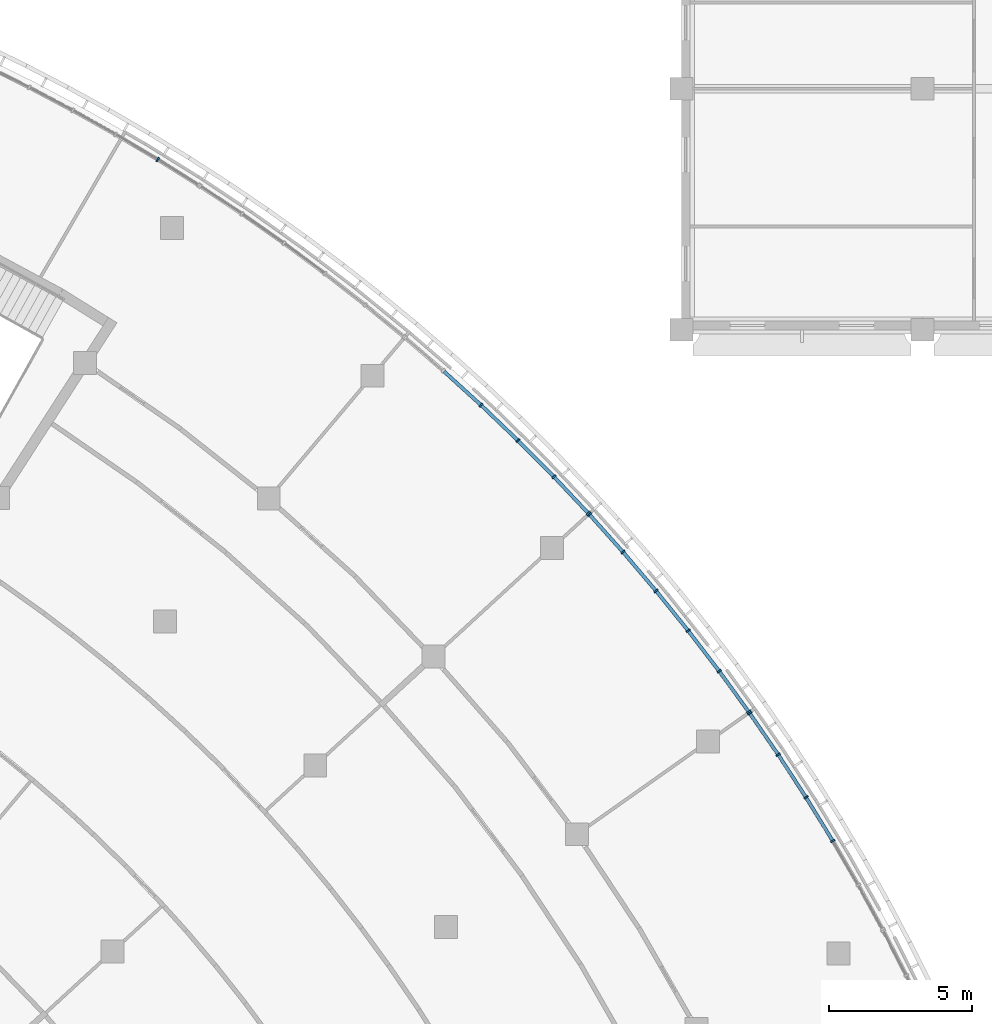
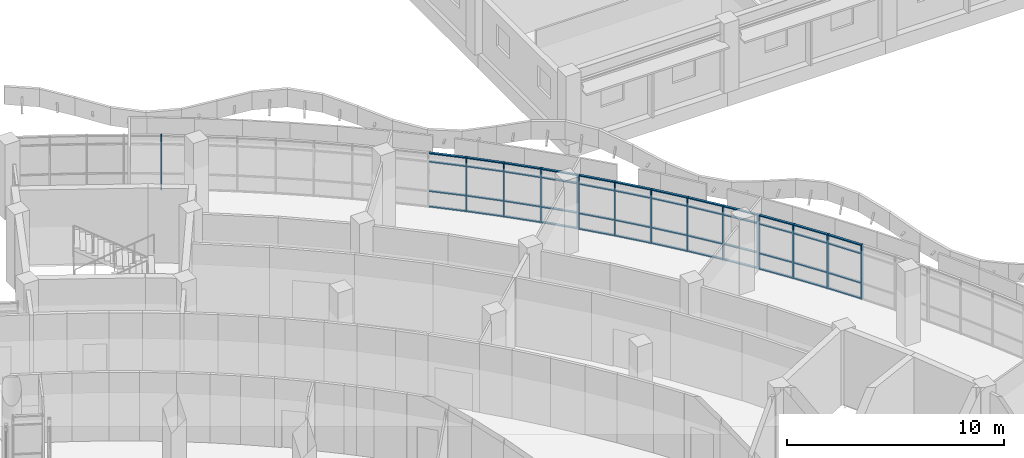
# One storey, part 16 of 109: 63 members, 4 elements without a shape of their own.
"""IFC4 building model written with IfcOpenShell, lengths in metres."""

from ifc_helpers import new_model, si_unit, direction, frame, origin, origin_2d, place, context, subcontext, project, spatial, rectangle, extrude, material, material_profile, profile_set, type_object, element, aggregate, save


model = new_model("IFC4")

# Units and contexts
model_context = context("Model", 3, precision=1e-05, world=origin(), true_north=direction((0.0, 1.0)))
body_context = subcontext(model_context, "Body", "Model", "MODEL_VIEW")
ifc_project = project(units=[si_unit("LENGTHUNIT", "METRE"), si_unit("AREAUNIT", "SQUARE_METRE"), si_unit("VOLUMEUNIT", "CUBIC_METRE"), si_unit("PLANEANGLEUNIT", "RADIAN"), si_unit("MASSUNIT", "GRAM", prefix="KILO")], contexts=[model_context])

# Site, building, storey
site_placement = place(None, origin())
site = spatial("IfcSite", under=ifc_project, at=site_placement, CompositionType="ELEMENT")
building_placement = place(site_placement, origin())
building = spatial("IfcBuilding", under=site, at=building_placement, Name="Bougainvillea Quay General Hospital", CompositionType="ELEMENT")
storey_placement = place(building_placement, frame((0.0, 0.0, 12.60009765625)))
storey = spatial("IfcBuildingStorey", under=building, at=storey_placement, Name="L02", CompositionType="ELEMENT", Elevation=12.60009765625)

# Curtain wall, member
ifc_material_1 = material(Name="Aluminium curtain wall system, powder-coated glazed", Category="aluminium")
curtain_wall_type = type_object("IfcCurtainWallType", Name="Unitised curtain wall CW-2100", PredefinedType="NOTDEFINED", material=ifc_material_1)
curtain_wall_1_placement = place(storey_placement, origin())
curtain_wall_1 = element("IfcCurtainWall", 1, at=curtain_wall_1_placement, inside=storey, type_object=curtain_wall_type, Name="CW-E01 a23b0", PredefinedType="NOTDEFINED")
ifc_material_2 = material(Name="Aluminium mullion, powder-coated charcoal", Category="aluminium")
ifc_material_profile_1 = material_profile(ifc_material_2, rectangle(XDim=0.159912109375, YDim=0.06005859375, at=origin_2d()))
ifc_profile_set_1 = profile_set([ifc_material_profile_1], Name="Aluminium mullion, powder-coated charcoal")
member_type_1 = type_object("IfcMemberType", Name="Curtain wall mullion 160x60", PredefinedType="MULLION", material=ifc_profile_set_1)
member_1_placement = place(storey_placement, frame((145.546142578125, 81.5322265625, 0.0), z_axis=(0.0, 0.0, 1.0), x_axis=(0.521088424985, 0.853502696742, 0.0)))
member_1 = element("IfcMember", 2, at=member_1_placement, type_object=member_type_1, Name="CW-E01 mullion 5", PredefinedType="MULLION", context=body_context, shape_type="SweptSolid", body=[
    extrude(rectangle(XDim=0.159912109375, YDim=0.06005859375, at=origin_2d()), origin(), (0.0, 0.0, 1.0), 3.0498046875),
])
aggregate(curtain_wall_1, [member_1])

# Curtain wall, members
curtain_wall_2_placement = place(storey_placement, origin())
curtain_wall_2 = element("IfcCurtainWall", 3, at=curtain_wall_2_placement, inside=storey, type_object=curtain_wall_type, Name="CW-E03 a23b2", PredefinedType="NOTDEFINED")
member_2_placement = place(storey_placement, frame((156.813232421875, 72.9716796875, 0.0), z_axis=(0.0, 0.0, 1.0), x_axis=(0.682621021685, 0.730772564314, 0.0)))
member_2 = element("IfcMember", 4, at=member_2_placement, type_object=member_type_1, Name="CW-E03 mullion 3", PredefinedType="MULLION", context=body_context, shape_type="SweptSolid", body=[
    extrude(rectangle(XDim=0.159912109375, YDim=0.06005859375, at=origin_2d()), origin(), (0.0, 0.0, 1.0), 3.0498046875),
])
member_3_placement = place(storey_placement, frame((158.098388671875, 71.739990234375, 0.0), z_axis=(0.0, 0.0, 1.0), x_axis=(0.701048674877, 0.713113423974, 0.0)))
member_3 = element("IfcMember", 5, at=member_3_placement, type_object=member_type_1, Name="CW-E03 mullion 4", PredefinedType="MULLION", context=body_context, shape_type="SweptSolid", body=[
    extrude(rectangle(XDim=0.159912109375, YDim=0.06005859375, at=origin_2d()), origin(), (0.0, 0.0, 1.0), 3.0498046875),
])
member_4_placement = place(storey_placement, frame((159.35205078125, 70.475830078125, 0.0), z_axis=(0.0, 0.0, 1.0), x_axis=(0.71901964839, 0.694989744693, 0.0)))
member_4 = element("IfcMember", 6, at=member_4_placement, type_object=member_type_1, Name="CW-E03 mullion 5", PredefinedType="MULLION", context=body_context, shape_type="SweptSolid", body=[
    extrude(rectangle(XDim=0.159912109375, YDim=0.06005859375, at=origin_2d()), origin(), (0.0, 0.0, 1.0), 3.0498046875),
])
member_5_placement = place(storey_placement, frame((160.55224609375, 69.201904296875, 0.0), z_axis=(0.0, 0.0, 1.0), x_axis=(0.727830210087, 0.685757380773, 0.0)))
member_5 = element("IfcMember", 7, at=member_5_placement, type_object=member_type_1, Name="CW-E03 mullion 6", PredefinedType="MULLION", context=body_context, shape_type="SweptSolid", body=[
    extrude(rectangle(XDim=0.159912109375, YDim=0.06005859375, at=origin_2d()), origin(), (0.0, 0.0, 1.0), 3.0498046875),
])

curtain_wall_3_placement = place(storey_placement, origin())
curtain_wall_3 = element("IfcCurtainWall", 8, at=curtain_wall_3_placement, inside=storey, type_object=curtain_wall_type, Name="CW-E04 a23b3", PredefinedType="NOTDEFINED")
member_6_placement = place(storey_placement, frame((160.5927734375, 69.15771484375, 0.0), z_axis=(0.0, 0.0, 1.0), x_axis=(0.745094309044, 0.666959122159, 0.0)))
member_6 = element("IfcMember", 9, at=member_6_placement, type_object=member_type_1, Name="CW-E04 mullion 1", PredefinedType="MULLION", context=body_context, shape_type="SweptSolid", body=[
    extrude(rectangle(XDim=0.159912109375, YDim=0.06005859375, at=origin_2d()), origin(), (0.0, 0.0, 1.0), 3.0498046875),
])
member_7_placement = place(storey_placement, frame((161.760009765625, 67.853759765625, 0.0), z_axis=(0.0, 0.0, 1.0), x_axis=(0.753545034628, 0.657396288997, 0.0)))
member_7 = element("IfcMember", 10, at=member_7_placement, type_object=member_type_1, Name="CW-E04 mullion 2", PredefinedType="MULLION", context=body_context, shape_type="SweptSolid", body=[
    extrude(rectangle(XDim=0.159912109375, YDim=0.06005859375, at=origin_2d()), origin(), (0.0, 0.0, 1.0), 3.0498046875),
])
member_8_placement = place(storey_placement, frame((162.913330078125, 66.497314453125, 0.0), z_axis=(0.0, 0.0, 1.0), x_axis=(0.7700769567, 0.637951001849, 0.0)))
member_8 = element("IfcMember", 11, at=member_8_placement, type_object=member_type_1, Name="CW-E04 mullion 3", PredefinedType="MULLION", context=body_context, shape_type="SweptSolid", body=[
    extrude(rectangle(XDim=0.159912109375, YDim=0.06005859375, at=origin_2d()), origin(), (0.0, 0.0, 1.0), 3.0498046875),
])
member_9_placement = place(storey_placement, frame((164.03125, 65.112060546875, 0.0), z_axis=(0.0, 0.0, 1.0), x_axis=(0.786107232438, 0.618090138337, 0.0)))
member_9 = element("IfcMember", 12, at=member_9_placement, type_object=member_type_1, Name="CW-E04 mullion 4", PredefinedType="MULLION", context=body_context, shape_type="SweptSolid", body=[
    extrude(rectangle(XDim=0.159912109375, YDim=0.06005859375, at=origin_2d()), origin(), (0.0, 0.0, 1.0), 3.0498046875),
])
member_10_placement = place(storey_placement, frame((165.11376953125, 63.69873046875, 0.0), z_axis=(0.0, 0.0, 1.0), x_axis=(0.801625419341, 0.597826636297, 0.0)))
member_10 = element("IfcMember", 13, at=member_10_placement, type_object=member_type_1, Name="CW-E04 mullion 5", PredefinedType="MULLION", context=body_context, shape_type="SweptSolid", body=[
    extrude(rectangle(XDim=0.159912109375, YDim=0.06005859375, at=origin_2d()), origin(), (0.0, 0.0, 1.0), 3.0498046875),
])
member_11_placement = place(storey_placement, frame((166.14208984375, 62.282470703125, 0.0), z_axis=(0.0, 0.0, 1.0), x_axis=(0.809189307232, 0.587548010856, 0.0)))
member_11 = element("IfcMember", 14, at=member_11_placement, type_object=member_type_1, Name="CW-E04 mullion 6", PredefinedType="MULLION", context=body_context, shape_type="SweptSolid", body=[
    extrude(rectangle(XDim=0.159912109375, YDim=0.06005859375, at=origin_2d()), origin(), (0.0, 0.0, 1.0), 3.0498046875),
])

curtain_wall_4_placement = place(storey_placement, origin())
curtain_wall_4 = element("IfcCurtainWall", 15, at=curtain_wall_4_placement, inside=storey, type_object=curtain_wall_type, Name="CW-E05 a23b4", PredefinedType="NOTDEFINED")
member_12_placement = place(storey_placement, frame((166.1767578125, 62.2333984375, 0.0), z_axis=(0.0, 0.0, 1.0), x_axis=(0.823920512723, 0.566705380876, 0.0)))
member_12 = element("IfcMember", 16, at=member_12_placement, type_object=member_type_1, Name="CW-E05 mullion 1", PredefinedType="MULLION", context=body_context, shape_type="SweptSolid", body=[
    extrude(rectangle(XDim=0.159912109375, YDim=0.06005859375, at=origin_2d()), origin(), (0.0, 0.0, 1.0), 3.0498046875),
])
member_13_placement = place(storey_placement, frame((167.168701171875, 60.791259765625, 0.0), z_axis=(0.0, 0.0, 1.0), x_axis=(0.831085431161, 0.556144770821, 0.0)))
member_13 = element("IfcMember", 17, at=member_13_placement, type_object=member_type_1, Name="CW-E05 mullion 2", PredefinedType="MULLION", context=body_context, shape_type="SweptSolid", body=[
    extrude(rectangle(XDim=0.159912109375, YDim=0.06005859375, at=origin_2d()), origin(), (0.0, 0.0, 1.0), 3.0498046875),
])
member_14_placement = place(storey_placement, frame((168.1396484375, 59.29931640625, 0.0), z_axis=(0.0, 0.0, 1.0), x_axis=(0.84500806513, 0.534753559937, 0.0)))
member_14 = element("IfcMember", 18, at=member_14_placement, type_object=member_type_1, Name="CW-E05 mullion 3", PredefinedType="MULLION", context=body_context, shape_type="SweptSolid", body=[
    extrude(rectangle(XDim=0.159912109375, YDim=0.06005859375, at=origin_2d()), origin(), (0.0, 0.0, 1.0), 3.0498046875),
])
member_15_placement = place(storey_placement, frame((169.072509765625, 57.782958984375, 0.0), z_axis=(0.0, 0.0, 1.0), x_axis=(0.858380240869, 0.513013997943, 0.0)))
member_15 = element("IfcMember", 19, at=member_15_placement, type_object=member_type_1, Name="CW-E05 mullion 4", PredefinedType="MULLION", context=body_context, shape_type="SweptSolid", body=[
    extrude(rectangle(XDim=0.159912109375, YDim=0.06005859375, at=origin_2d()), origin(), (0.0, 0.0, 1.0), 3.0498046875),
])

# Member
ifc_material_3 = material(Name="Aluminium transom, powder-coated charcoal", Category="aluminium")
ifc_material_profile_2 = material_profile(ifc_material_3, rectangle(XDim=0.1201171875, YDim=0.06005859375, at=origin_2d()))
ifc_profile_set_2 = profile_set([ifc_material_profile_2], Name="Aluminium transom, powder-coated charcoal")
member_type_2 = type_object("IfcMemberType", Name="Curtain wall transom 120x60", PredefinedType="USERDEFINED", material=ifc_profile_set_2)
member_16_placement = place(storey_placement, frame((155.51904296875, 74.150146484375, 0.02978515625), z_axis=(0.739400413082, -0.673265942354, 0.0), x_axis=(0.673265942354, 0.739400413082, 0.0)))
member_16 = element("IfcMember", 20, at=member_16_placement, type_object=member_type_2, Name="CW-E03 transom 2.1", ObjectType="TRANSOM", PredefinedType="USERDEFINED", context=body_context, shape_type="SweptSolid", body=[
    extrude(rectangle(XDim=0.1201171875, YDim=0.06005859375, at=origin_2d()), origin(), (0.0, 0.0, 1.0), 1.72021484375),
])

member_17_placement = place(storey_placement, frame((155.51904296875, 74.150146484375, 0.89990234375), z_axis=(0.739400413082, -0.673265942354, 0.0), x_axis=(0.673265942354, 0.739400413082, 0.0)))
member_17 = element("IfcMember", 21, at=member_17_placement, type_object=member_type_2, Name="CW-E03 transom 2.2", ObjectType="TRANSOM", PredefinedType="USERDEFINED", context=body_context, shape_type="SweptSolid", body=[
    extrude(rectangle(XDim=0.1201171875, YDim=0.06005859375, at=origin_2d()), origin(), (0.0, 0.0, 1.0), 1.72021484375),
])

member_18_placement = place(storey_placement, frame((155.51904296875, 74.150146484375, 2.5498046875), z_axis=(0.739400413082, -0.673265942354, 0.0), x_axis=(0.673265942354, 0.739400413082, 0.0)))
member_18 = element("IfcMember", 22, at=member_18_placement, type_object=member_type_2, Name="CW-E03 transom 2.3", ObjectType="TRANSOM", PredefinedType="USERDEFINED", context=body_context, shape_type="SweptSolid", body=[
    extrude(rectangle(XDim=0.1201171875, YDim=0.06005859375, at=origin_2d()), origin(), (0.0, 0.0, 1.0), 1.72021484375),
])

member_19_placement = place(storey_placement, frame((155.51904296875, 74.150146484375, 3.02001953125), z_axis=(0.739400413082, -0.673265942354, 0.0), x_axis=(0.673265942354, 0.739400413082, 0.0)))
member_19 = element("IfcMember", 23, at=member_19_placement, type_object=member_type_2, Name="CW-E03 transom 2.4", ObjectType="TRANSOM", PredefinedType="USERDEFINED", context=body_context, shape_type="SweptSolid", body=[
    extrude(rectangle(XDim=0.1201171875, YDim=0.06005859375, at=origin_2d()), origin(), (0.0, 0.0, 1.0), 1.72021484375),
])

member_20_placement = place(storey_placement, frame((156.834716796875, 72.950927734375, 0.02978515625), z_axis=(0.722059094176, -0.691831384455, 0.0), x_axis=(0.691831384455, 0.722059094176, 0.0)))
member_20 = element("IfcMember", 24, at=member_20_placement, type_object=member_type_2, Name="CW-E03 transom 3.1", ObjectType="TRANSOM", PredefinedType="USERDEFINED", context=body_context, shape_type="SweptSolid", body=[
    extrude(rectangle(XDim=0.1201171875, YDim=0.06005859375, at=origin_2d()), origin(), (0.0, 0.0, 1.0), 1.720458984375),
])

member_21_placement = place(storey_placement, frame((156.834716796875, 72.950927734375, 0.89990234375), z_axis=(0.722059094176, -0.691831384455, 0.0), x_axis=(0.691831384455, 0.722059094176, 0.0)))
member_21 = element("IfcMember", 25, at=member_21_placement, type_object=member_type_2, Name="CW-E03 transom 3.2", ObjectType="TRANSOM", PredefinedType="USERDEFINED", context=body_context, shape_type="SweptSolid", body=[
    extrude(rectangle(XDim=0.1201171875, YDim=0.06005859375, at=origin_2d()), origin(), (0.0, 0.0, 1.0), 1.720458984375),
])

member_22_placement = place(storey_placement, frame((156.834716796875, 72.950927734375, 2.5498046875), z_axis=(0.722059094176, -0.691831384455, 0.0), x_axis=(0.691831384455, 0.722059094176, 0.0)))
member_22 = element("IfcMember", 26, at=member_22_placement, type_object=member_type_2, Name="CW-E03 transom 3.3", ObjectType="TRANSOM", PredefinedType="USERDEFINED", context=body_context, shape_type="SweptSolid", body=[
    extrude(rectangle(XDim=0.1201171875, YDim=0.06005859375, at=origin_2d()), origin(), (0.0, 0.0, 1.0), 1.720458984375),
])

member_23_placement = place(storey_placement, frame((156.834716796875, 72.950927734375, 3.02001953125), z_axis=(0.722059094176, -0.691831384455, 0.0), x_axis=(0.691831384455, 0.722059094176, 0.0)))
member_23 = element("IfcMember", 27, at=member_23_placement, type_object=member_type_2, Name="CW-E03 transom 3.4", ObjectType="TRANSOM", PredefinedType="USERDEFINED", context=body_context, shape_type="SweptSolid", body=[
    extrude(rectangle(XDim=0.1201171875, YDim=0.06005859375, at=origin_2d()), origin(), (0.0, 0.0, 1.0), 1.720458984375),
])

member_24_placement = place(storey_placement, frame((158.11962890625, 71.71875, 0.02978515625), z_axis=(0.704048987987, -0.710151408162, 0.0), x_axis=(0.710151408162, 0.704048987987, 0.0)))
member_24 = element("IfcMember", 28, at=member_24_placement, type_object=member_type_2, Name="CW-E03 transom 4.1", ObjectType="TRANSOM", PredefinedType="USERDEFINED", context=body_context, shape_type="SweptSolid", body=[
    extrude(rectangle(XDim=0.1201171875, YDim=0.06005859375, at=origin_2d()), origin(), (0.0, 0.0, 1.0), 1.72021484375),
])

member_25_placement = place(storey_placement, frame((158.11962890625, 71.71875, 0.89990234375), z_axis=(0.704048987987, -0.710151408162, 0.0), x_axis=(0.710151408162, 0.704048987987, 0.0)))
member_25 = element("IfcMember", 29, at=member_25_placement, type_object=member_type_2, Name="CW-E03 transom 4.2", ObjectType="TRANSOM", PredefinedType="USERDEFINED", context=body_context, shape_type="SweptSolid", body=[
    extrude(rectangle(XDim=0.1201171875, YDim=0.06005859375, at=origin_2d()), origin(), (0.0, 0.0, 1.0), 1.72021484375),
])

member_26_placement = place(storey_placement, frame((158.11962890625, 71.71875, 2.5498046875), z_axis=(0.704048987987, -0.710151408162, 0.0), x_axis=(0.710151408162, 0.704048987987, 0.0)))
member_26 = element("IfcMember", 30, at=member_26_placement, type_object=member_type_2, Name="CW-E03 transom 4.3", ObjectType="TRANSOM", PredefinedType="USERDEFINED", context=body_context, shape_type="SweptSolid", body=[
    extrude(rectangle(XDim=0.1201171875, YDim=0.06005859375, at=origin_2d()), origin(), (0.0, 0.0, 1.0), 1.72021484375),
])

member_27_placement = place(storey_placement, frame((158.11962890625, 71.71875, 3.02001953125), z_axis=(0.704048987987, -0.710151408162, 0.0), x_axis=(0.710151408162, 0.704048987987, 0.0)))
member_27 = element("IfcMember", 31, at=member_27_placement, type_object=member_type_2, Name="CW-E03 transom 4.4", ObjectType="TRANSOM", PredefinedType="USERDEFINED", context=body_context, shape_type="SweptSolid", body=[
    extrude(rectangle(XDim=0.1201171875, YDim=0.06005859375, at=origin_2d()), origin(), (0.0, 0.0, 1.0), 1.72021484375),
])

member_28_placement = place(storey_placement, frame((159.37255859375, 70.4541015625, 0.02978515625), z_axis=(0.685779077704, -0.727809766755, 0.0), x_axis=(0.727809766755, 0.685779077704, 0.0)))
member_28 = element("IfcMember", 32, at=member_28_placement, type_object=member_type_2, Name="CW-E03 transom 5.1", ObjectType="TRANSOM", PredefinedType="USERDEFINED", context=body_context, shape_type="SweptSolid", body=[
    extrude(rectangle(XDim=0.1201171875, YDim=0.06005859375, at=origin_2d()), origin(), (0.0, 0.0, 1.0), 1.6904296875),
])

member_29_placement = place(storey_placement, frame((159.37255859375, 70.4541015625, 0.89990234375), z_axis=(0.685779077704, -0.727809766755, 0.0), x_axis=(0.727809766755, 0.685779077704, 0.0)))
member_29 = element("IfcMember", 33, at=member_29_placement, type_object=member_type_2, Name="CW-E03 transom 5.2", ObjectType="TRANSOM", PredefinedType="USERDEFINED", context=body_context, shape_type="SweptSolid", body=[
    extrude(rectangle(XDim=0.1201171875, YDim=0.06005859375, at=origin_2d()), origin(), (0.0, 0.0, 1.0), 1.6904296875),
])

member_30_placement = place(storey_placement, frame((159.37255859375, 70.4541015625, 2.5498046875), z_axis=(0.685779077704, -0.727809766755, 0.0), x_axis=(0.727809766755, 0.685779077704, 0.0)))
member_30 = element("IfcMember", 34, at=member_30_placement, type_object=member_type_2, Name="CW-E03 transom 5.3", ObjectType="TRANSOM", PredefinedType="USERDEFINED", context=body_context, shape_type="SweptSolid", body=[
    extrude(rectangle(XDim=0.1201171875, YDim=0.06005859375, at=origin_2d()), origin(), (0.0, 0.0, 1.0), 1.6904296875),
])

member_31_placement = place(storey_placement, frame((159.37255859375, 70.4541015625, 3.02001953125), z_axis=(0.685779077704, -0.727809766755, 0.0), x_axis=(0.727809766755, 0.685779077704, 0.0)))
member_31 = element("IfcMember", 35, at=member_31_placement, type_object=member_type_2, Name="CW-E03 transom 5.4", ObjectType="TRANSOM", PredefinedType="USERDEFINED", context=body_context, shape_type="SweptSolid", body=[
    extrude(rectangle(XDim=0.1201171875, YDim=0.06005859375, at=origin_2d()), origin(), (0.0, 0.0, 1.0), 1.6904296875),
])

aggregate(curtain_wall_2, [member_2, member_3, member_4, member_5, member_16, member_17, member_18, member_19, member_20, member_21, member_22, member_23, member_24, member_25, member_26, member_27, member_28, member_29, member_30, member_31])

member_32_placement = place(storey_placement, frame((160.61279296875, 69.135498046875, 0.02978515625), z_axis=(0.666879297012, -0.745165755531, 0.0), x_axis=(0.745165755531, 0.666879297012, 0.0)))
member_32 = element("IfcMember", 36, at=member_32_placement, type_object=member_type_2, Name="CW-E04 transom 1.1", ObjectType="TRANSOM", PredefinedType="USERDEFINED", context=body_context, shape_type="SweptSolid", body=[
    extrude(rectangle(XDim=0.1201171875, YDim=0.06005859375, at=origin_2d()), origin(), (0.0, 0.0, 1.0), 1.690185546875),
])

member_33_placement = place(storey_placement, frame((160.61279296875, 69.135498046875, 0.89990234375), z_axis=(0.666879297012, -0.745165755531, 0.0), x_axis=(0.745165755531, 0.666879297012, 0.0)))
member_33 = element("IfcMember", 37, at=member_33_placement, type_object=member_type_2, Name="CW-E04 transom 1.2", ObjectType="TRANSOM", PredefinedType="USERDEFINED", context=body_context, shape_type="SweptSolid", body=[
    extrude(rectangle(XDim=0.1201171875, YDim=0.06005859375, at=origin_2d()), origin(), (0.0, 0.0, 1.0), 1.690185546875),
])

member_34_placement = place(storey_placement, frame((160.61279296875, 69.135498046875, 2.5498046875), z_axis=(0.666879297012, -0.745165755531, 0.0), x_axis=(0.745165755531, 0.666879297012, 0.0)))
member_34 = element("IfcMember", 38, at=member_34_placement, type_object=member_type_2, Name="CW-E04 transom 1.3", ObjectType="TRANSOM", PredefinedType="USERDEFINED", context=body_context, shape_type="SweptSolid", body=[
    extrude(rectangle(XDim=0.1201171875, YDim=0.06005859375, at=origin_2d()), origin(), (0.0, 0.0, 1.0), 1.690185546875),
])

member_35_placement = place(storey_placement, frame((160.61279296875, 69.135498046875, 3.02001953125), z_axis=(0.666879297012, -0.745165755531, 0.0), x_axis=(0.745165755531, 0.666879297012, 0.0)))
member_35 = element("IfcMember", 39, at=member_35_placement, type_object=member_type_2, Name="CW-E04 transom 1.4", ObjectType="TRANSOM", PredefinedType="USERDEFINED", context=body_context, shape_type="SweptSolid", body=[
    extrude(rectangle(XDim=0.1201171875, YDim=0.06005859375, at=origin_2d()), origin(), (0.0, 0.0, 1.0), 1.690185546875),
])

member_36_placement = place(storey_placement, frame((161.779541015625, 67.830810546875, 0.02978515625), z_axis=(0.647747288615, -0.761855268468, 0.0), x_axis=(0.761855268468, 0.647747288615, 0.0)))
member_36 = element("IfcMember", 40, at=member_36_placement, type_object=member_type_2, Name="CW-E04 transom 2.1", ObjectType="TRANSOM", PredefinedType="USERDEFINED", context=body_context, shape_type="SweptSolid", body=[
    extrude(rectangle(XDim=0.1201171875, YDim=0.06005859375, at=origin_2d()), origin(), (0.0, 0.0, 1.0), 1.72021484375),
])

member_37_placement = place(storey_placement, frame((161.779541015625, 67.830810546875, 0.89990234375), z_axis=(0.647747288615, -0.761855268468, 0.0), x_axis=(0.761855268468, 0.647747288615, 0.0)))
member_37 = element("IfcMember", 41, at=member_37_placement, type_object=member_type_2, Name="CW-E04 transom 2.2", ObjectType="TRANSOM", PredefinedType="USERDEFINED", context=body_context, shape_type="SweptSolid", body=[
    extrude(rectangle(XDim=0.1201171875, YDim=0.06005859375, at=origin_2d()), origin(), (0.0, 0.0, 1.0), 1.72021484375),
])

member_38_placement = place(storey_placement, frame((161.779541015625, 67.830810546875, 2.5498046875), z_axis=(0.647747288615, -0.761855268468, 0.0), x_axis=(0.761855268468, 0.647747288615, 0.0)))
member_38 = element("IfcMember", 42, at=member_38_placement, type_object=member_type_2, Name="CW-E04 transom 2.3", ObjectType="TRANSOM", PredefinedType="USERDEFINED", context=body_context, shape_type="SweptSolid", body=[
    extrude(rectangle(XDim=0.1201171875, YDim=0.06005859375, at=origin_2d()), origin(), (0.0, 0.0, 1.0), 1.72021484375),
])

member_39_placement = place(storey_placement, frame((161.779541015625, 67.830810546875, 3.02001953125), z_axis=(0.647747288615, -0.761855268468, 0.0), x_axis=(0.761855268468, 0.647747288615, 0.0)))
member_39 = element("IfcMember", 43, at=member_39_placement, type_object=member_type_2, Name="CW-E04 transom 2.4", ObjectType="TRANSOM", PredefinedType="USERDEFINED", context=body_context, shape_type="SweptSolid", body=[
    extrude(rectangle(XDim=0.1201171875, YDim=0.06005859375, at=origin_2d()), origin(), (0.0, 0.0, 1.0), 1.72021484375),
])

member_40_placement = place(storey_placement, frame((162.93212890625, 66.47412109375, 0.02978515625), z_axis=(0.628029823491, -0.778189270554, 0.0), x_axis=(0.778189270554, 0.628029823491, 0.0)))
member_40 = element("IfcMember", 44, at=member_40_placement, type_object=member_type_2, Name="CW-E04 transom 3.1", ObjectType="TRANSOM", PredefinedType="USERDEFINED", context=body_context, shape_type="SweptSolid", body=[
    extrude(rectangle(XDim=0.1201171875, YDim=0.06005859375, at=origin_2d()), origin(), (0.0, 0.0, 1.0), 1.72021484375),
])

member_41_placement = place(storey_placement, frame((162.93212890625, 66.47412109375, 0.89990234375), z_axis=(0.628029823491, -0.778189270554, 0.0), x_axis=(0.778189270554, 0.628029823491, 0.0)))
member_41 = element("IfcMember", 45, at=member_41_placement, type_object=member_type_2, Name="CW-E04 transom 3.2", ObjectType="TRANSOM", PredefinedType="USERDEFINED", context=body_context, shape_type="SweptSolid", body=[
    extrude(rectangle(XDim=0.1201171875, YDim=0.06005859375, at=origin_2d()), origin(), (0.0, 0.0, 1.0), 1.72021484375),
])

member_42_placement = place(storey_placement, frame((162.93212890625, 66.47412109375, 2.5498046875), z_axis=(0.628029823491, -0.778189270554, 0.0), x_axis=(0.778189270554, 0.628029823491, 0.0)))
member_42 = element("IfcMember", 46, at=member_42_placement, type_object=member_type_2, Name="CW-E04 transom 3.3", ObjectType="TRANSOM", PredefinedType="USERDEFINED", context=body_context, shape_type="SweptSolid", body=[
    extrude(rectangle(XDim=0.1201171875, YDim=0.06005859375, at=origin_2d()), origin(), (0.0, 0.0, 1.0), 1.72021484375),
])

member_43_placement = place(storey_placement, frame((162.93212890625, 66.47412109375, 3.02001953125), z_axis=(0.628029823491, -0.778189270554, 0.0), x_axis=(0.778189270554, 0.628029823491, 0.0)))
member_43 = element("IfcMember", 47, at=member_43_placement, type_object=member_type_2, Name="CW-E04 transom 3.4", ObjectType="TRANSOM", PredefinedType="USERDEFINED", context=body_context, shape_type="SweptSolid", body=[
    extrude(rectangle(XDim=0.1201171875, YDim=0.06005859375, at=origin_2d()), origin(), (0.0, 0.0, 1.0), 1.72021484375),
])

member_44_placement = place(storey_placement, frame((164.049560546875, 65.08837890625, 0.02978515625), z_axis=(0.607939858347, -0.793983078304, 0.0), x_axis=(0.793983078304, 0.607939858347, 0.0)))
member_44 = element("IfcMember", 48, at=member_44_placement, type_object=member_type_2, Name="CW-E04 transom 4.1", ObjectType="TRANSOM", PredefinedType="USERDEFINED", context=body_context, shape_type="SweptSolid", body=[
    extrude(rectangle(XDim=0.1201171875, YDim=0.06005859375, at=origin_2d()), origin(), (0.0, 0.0, 1.0), 1.720458984375),
])

member_45_placement = place(storey_placement, frame((164.049560546875, 65.08837890625, 0.89990234375), z_axis=(0.607939858347, -0.793983078304, 0.0), x_axis=(0.793983078304, 0.607939858347, 0.0)))
member_45 = element("IfcMember", 49, at=member_45_placement, type_object=member_type_2, Name="CW-E04 transom 4.2", ObjectType="TRANSOM", PredefinedType="USERDEFINED", context=body_context, shape_type="SweptSolid", body=[
    extrude(rectangle(XDim=0.1201171875, YDim=0.06005859375, at=origin_2d()), origin(), (0.0, 0.0, 1.0), 1.720458984375),
])

member_46_placement = place(storey_placement, frame((164.049560546875, 65.08837890625, 2.5498046875), z_axis=(0.607939858347, -0.793983078304, 0.0), x_axis=(0.793983078304, 0.607939858347, 0.0)))
member_46 = element("IfcMember", 50, at=member_46_placement, type_object=member_type_2, Name="CW-E04 transom 4.3", ObjectType="TRANSOM", PredefinedType="USERDEFINED", context=body_context, shape_type="SweptSolid", body=[
    extrude(rectangle(XDim=0.1201171875, YDim=0.06005859375, at=origin_2d()), origin(), (0.0, 0.0, 1.0), 1.720458984375),
])

member_47_placement = place(storey_placement, frame((164.049560546875, 65.08837890625, 3.02001953125), z_axis=(0.607939858347, -0.793983078304, 0.0), x_axis=(0.793983078304, 0.607939858347, 0.0)))
member_47 = element("IfcMember", 51, at=member_47_placement, type_object=member_type_2, Name="CW-E04 transom 4.4", ObjectType="TRANSOM", PredefinedType="USERDEFINED", context=body_context, shape_type="SweptSolid", body=[
    extrude(rectangle(XDim=0.1201171875, YDim=0.06005859375, at=origin_2d()), origin(), (0.0, 0.0, 1.0), 1.720458984375),
])

member_48_placement = place(storey_placement, frame((165.13134765625, 63.67431640625, 0.02978515625), z_axis=(0.587587532685, -0.80916060917, 0.0), x_axis=(0.80916060917, 0.587587532685, 0.0)))
member_48 = element("IfcMember", 52, at=member_48_placement, type_object=member_type_2, Name="CW-E04 transom 5.1", ObjectType="TRANSOM", PredefinedType="USERDEFINED", context=body_context, shape_type="SweptSolid", body=[
    extrude(rectangle(XDim=0.1201171875, YDim=0.06005859375, at=origin_2d()), origin(), (0.0, 0.0, 1.0), 1.690185546875),
])

member_49_placement = place(storey_placement, frame((165.13134765625, 63.67431640625, 0.89990234375), z_axis=(0.587587532685, -0.80916060917, 0.0), x_axis=(0.80916060917, 0.587587532685, 0.0)))
member_49 = element("IfcMember", 53, at=member_49_placement, type_object=member_type_2, Name="CW-E04 transom 5.2", ObjectType="TRANSOM", PredefinedType="USERDEFINED", context=body_context, shape_type="SweptSolid", body=[
    extrude(rectangle(XDim=0.1201171875, YDim=0.06005859375, at=origin_2d()), origin(), (0.0, 0.0, 1.0), 1.690185546875),
])

member_50_placement = place(storey_placement, frame((165.13134765625, 63.67431640625, 2.5498046875), z_axis=(0.587587532685, -0.80916060917, 0.0), x_axis=(0.80916060917, 0.587587532685, 0.0)))
member_50 = element("IfcMember", 54, at=member_50_placement, type_object=member_type_2, Name="CW-E04 transom 5.3", ObjectType="TRANSOM", PredefinedType="USERDEFINED", context=body_context, shape_type="SweptSolid", body=[
    extrude(rectangle(XDim=0.1201171875, YDim=0.06005859375, at=origin_2d()), origin(), (0.0, 0.0, 1.0), 1.690185546875),
])

member_51_placement = place(storey_placement, frame((165.13134765625, 63.67431640625, 3.02001953125), z_axis=(0.587587532685, -0.80916060917, 0.0), x_axis=(0.80916060917, 0.587587532685, 0.0)))
member_51 = element("IfcMember", 55, at=member_51_placement, type_object=member_type_2, Name="CW-E04 transom 5.4", ObjectType="TRANSOM", PredefinedType="USERDEFINED", context=body_context, shape_type="SweptSolid", body=[
    extrude(rectangle(XDim=0.1201171875, YDim=0.06005859375, at=origin_2d()), origin(), (0.0, 0.0, 1.0), 1.690185546875),
])

aggregate(curtain_wall_3, [member_6, member_7, member_8, member_9, member_10, member_11, member_32, member_33, member_34, member_35, member_36, member_37, member_38, member_39, member_40, member_41, member_42, member_43, member_44, member_45, member_46, member_47, member_48, member_49, member_50, member_51])

member_52_placement = place(storey_placement, frame((166.19384765625, 62.208740234375, 0.02978515625), z_axis=(0.566675945588, -0.823940757999, 0.0), x_axis=(0.823940757999, 0.566675945588, 0.0)))
member_52 = element("IfcMember", 56, at=member_52_placement, type_object=member_type_2, Name="CW-E05 transom 1.1", ObjectType="TRANSOM", PredefinedType="USERDEFINED", context=body_context, shape_type="SweptSolid", body=[
    extrude(rectangle(XDim=0.1201171875, YDim=0.06005859375, at=origin_2d()), origin(), (0.0, 0.0, 1.0), 1.690185546875),
])

member_53_placement = place(storey_placement, frame((166.19384765625, 62.208740234375, 0.89990234375), z_axis=(0.566675945588, -0.823940757999, 0.0), x_axis=(0.823940757999, 0.566675945588, 0.0)))
member_53 = element("IfcMember", 57, at=member_53_placement, type_object=member_type_2, Name="CW-E05 transom 1.2", ObjectType="TRANSOM", PredefinedType="USERDEFINED", context=body_context, shape_type="SweptSolid", body=[
    extrude(rectangle(XDim=0.1201171875, YDim=0.06005859375, at=origin_2d()), origin(), (0.0, 0.0, 1.0), 1.690185546875),
])

member_54_placement = place(storey_placement, frame((166.19384765625, 62.208740234375, 2.5498046875), z_axis=(0.566675945588, -0.823940757999, 0.0), x_axis=(0.823940757999, 0.566675945588, 0.0)))
member_54 = element("IfcMember", 58, at=member_54_placement, type_object=member_type_2, Name="CW-E05 transom 1.3", ObjectType="TRANSOM", PredefinedType="USERDEFINED", context=body_context, shape_type="SweptSolid", body=[
    extrude(rectangle(XDim=0.1201171875, YDim=0.06005859375, at=origin_2d()), origin(), (0.0, 0.0, 1.0), 1.690185546875),
])

member_55_placement = place(storey_placement, frame((166.19384765625, 62.208740234375, 3.02001953125), z_axis=(0.566675945588, -0.823940757999, 0.0), x_axis=(0.823940757999, 0.566675945588, 0.0)))
member_55 = element("IfcMember", 59, at=member_55_placement, type_object=member_type_2, Name="CW-E05 transom 1.4", ObjectType="TRANSOM", PredefinedType="USERDEFINED", context=body_context, shape_type="SweptSolid", body=[
    extrude(rectangle(XDim=0.1201171875, YDim=0.06005859375, at=origin_2d()), origin(), (0.0, 0.0, 1.0), 1.690185546875),
])

member_56_placement = place(storey_placement, frame((167.18505859375, 60.76611328125, 0.02978515625), z_axis=(0.545462216901, -0.838135412647, 0.0), x_axis=(0.838135412647, 0.545462216901, 0.0)))
member_56 = element("IfcMember", 60, at=member_56_placement, type_object=member_type_2, Name="CW-E05 transom 2.1", ObjectType="TRANSOM", PredefinedType="USERDEFINED", context=body_context, shape_type="SweptSolid", body=[
    extrude(rectangle(XDim=0.1201171875, YDim=0.06005859375, at=origin_2d()), origin(), (0.0, 0.0, 1.0), 1.719970703125),
])

member_57_placement = place(storey_placement, frame((167.18505859375, 60.76611328125, 0.89990234375), z_axis=(0.545462216901, -0.838135412647, 0.0), x_axis=(0.838135412647, 0.545462216901, 0.0)))
member_57 = element("IfcMember", 61, at=member_57_placement, type_object=member_type_2, Name="CW-E05 transom 2.2", ObjectType="TRANSOM", PredefinedType="USERDEFINED", context=body_context, shape_type="SweptSolid", body=[
    extrude(rectangle(XDim=0.1201171875, YDim=0.06005859375, at=origin_2d()), origin(), (0.0, 0.0, 1.0), 1.719970703125),
])

member_58_placement = place(storey_placement, frame((167.18505859375, 60.76611328125, 2.5498046875), z_axis=(0.545462216901, -0.838135412647, 0.0), x_axis=(0.838135412647, 0.545462216901, 0.0)))
member_58 = element("IfcMember", 62, at=member_58_placement, type_object=member_type_2, Name="CW-E05 transom 2.3", ObjectType="TRANSOM", PredefinedType="USERDEFINED", context=body_context, shape_type="SweptSolid", body=[
    extrude(rectangle(XDim=0.1201171875, YDim=0.06005859375, at=origin_2d()), origin(), (0.0, 0.0, 1.0), 1.719970703125),
])

member_59_placement = place(storey_placement, frame((167.18505859375, 60.76611328125, 3.02001953125), z_axis=(0.545462216901, -0.838135412647, 0.0), x_axis=(0.838135412647, 0.545462216901, 0.0)))
member_59 = element("IfcMember", 63, at=member_59_placement, type_object=member_type_2, Name="CW-E05 transom 2.4", ObjectType="TRANSOM", PredefinedType="USERDEFINED", context=body_context, shape_type="SweptSolid", body=[
    extrude(rectangle(XDim=0.1201171875, YDim=0.06005859375, at=origin_2d()), origin(), (0.0, 0.0, 1.0), 1.719970703125),
])

member_60_placement = place(storey_placement, frame((168.155517578125, 59.273681640625, 0.02978515625), z_axis=(0.523899426945, -0.851780130343, 0.0), x_axis=(0.851780130343, 0.523899426945, 0.0)))
member_60 = element("IfcMember", 64, at=member_60_placement, type_object=member_type_2, Name="CW-E05 transom 3.1", ObjectType="TRANSOM", PredefinedType="USERDEFINED", context=body_context, shape_type="SweptSolid", body=[
    extrude(rectangle(XDim=0.1201171875, YDim=0.06005859375, at=origin_2d()), origin(), (0.0, 0.0, 1.0), 1.719970703125),
])

member_61_placement = place(storey_placement, frame((168.155517578125, 59.273681640625, 0.89990234375), z_axis=(0.523899426945, -0.851780130343, 0.0), x_axis=(0.851780130343, 0.523899426945, 0.0)))
member_61 = element("IfcMember", 65, at=member_61_placement, type_object=member_type_2, Name="CW-E05 transom 3.2", ObjectType="TRANSOM", PredefinedType="USERDEFINED", context=body_context, shape_type="SweptSolid", body=[
    extrude(rectangle(XDim=0.1201171875, YDim=0.06005859375, at=origin_2d()), origin(), (0.0, 0.0, 1.0), 1.719970703125),
])

member_62_placement = place(storey_placement, frame((168.155517578125, 59.273681640625, 2.5498046875), z_axis=(0.523899426945, -0.851780130343, 0.0), x_axis=(0.851780130343, 0.523899426945, 0.0)))
member_62 = element("IfcMember", 66, at=member_62_placement, type_object=member_type_2, Name="CW-E05 transom 3.3", ObjectType="TRANSOM", PredefinedType="USERDEFINED", context=body_context, shape_type="SweptSolid", body=[
    extrude(rectangle(XDim=0.1201171875, YDim=0.06005859375, at=origin_2d()), origin(), (0.0, 0.0, 1.0), 1.719970703125),
])

member_63_placement = place(storey_placement, frame((168.155517578125, 59.273681640625, 3.02001953125), z_axis=(0.523899426945, -0.851780130343, 0.0), x_axis=(0.851780130343, 0.523899426945, 0.0)))
member_63 = element("IfcMember", 67, at=member_63_placement, type_object=member_type_2, Name="CW-E05 transom 3.4", ObjectType="TRANSOM", PredefinedType="USERDEFINED", context=body_context, shape_type="SweptSolid", body=[
    extrude(rectangle(XDim=0.1201171875, YDim=0.06005859375, at=origin_2d()), origin(), (0.0, 0.0, 1.0), 1.719970703125),
])

aggregate(curtain_wall_4, [member_12, member_13, member_14, member_15, member_52, member_53, member_54, member_55, member_56, member_57, member_58, member_59, member_60, member_61, member_62, member_63])

save(model, "model.ifc")
